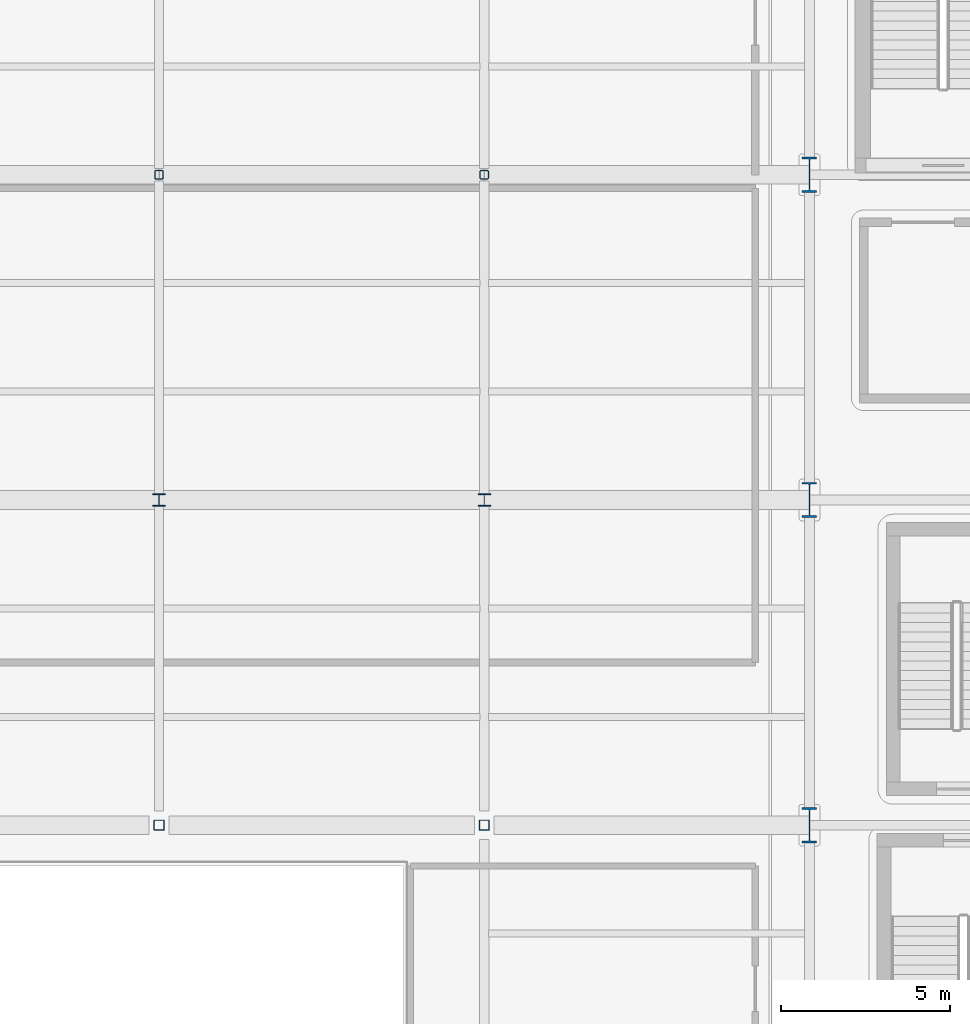
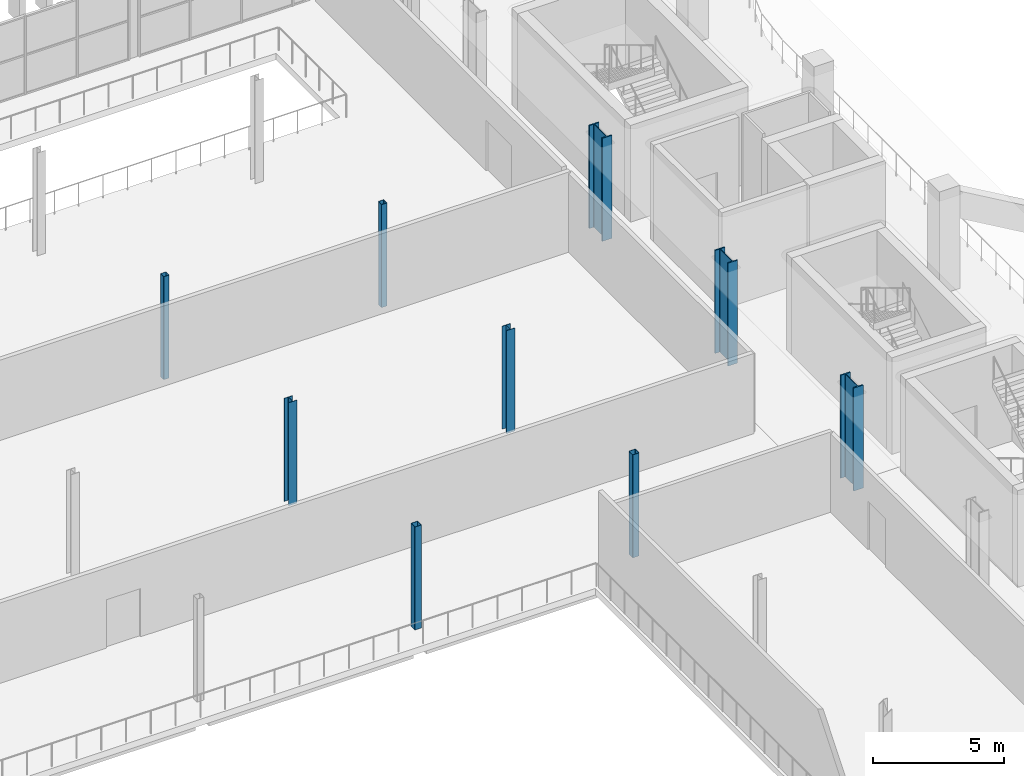
# One storey, part 7 of 100: 9 columns.
"""IFC4 building model written with IfcOpenShell, lengths in metres."""

from ifc_helpers import new_model, si_unit, direction, frame, origin, origin_2d, place, context, subcontext, project, spatial, hollow_rectangle, i_section, extrude, material, material_profile, profile_set, type_object, element, save


model = new_model("IFC4")

# Units and contexts
model_context = context("Model", 3, precision=1e-05, world=origin(), true_north=direction((0.0, 1.0)))
body_context = subcontext(model_context, "Body", "Model", "MODEL_VIEW")
ifc_project = project(units=[si_unit("LENGTHUNIT", "METRE"), si_unit("AREAUNIT", "SQUARE_METRE"), si_unit("VOLUMEUNIT", "CUBIC_METRE"), si_unit("PLANEANGLEUNIT", "RADIAN"), si_unit("MASSUNIT", "GRAM", prefix="KILO")], contexts=[model_context])

# Site, building, storey
site_placement = place(None, origin())
site = spatial("IfcSite", under=ifc_project, at=site_placement, CompositionType="ELEMENT")
building_placement = place(site_placement, origin())
building = spatial("IfcBuilding", under=site, at=building_placement, Name="Caelomonte Colonnade Arena", CompositionType="ELEMENT")
storey_placement = place(building_placement, origin())
storey = spatial("IfcBuildingStorey", under=building, at=storey_placement, Name="L00", CompositionType="ELEMENT", Elevation=0.0)

# Columns
ifc_material_1 = material(Name="Steel ASTM A500 Grade C", Category="steel")
ifc_material_profile_1 = material_profile(ifc_material_1, hollow_rectangle(XDim=0.25390625, YDim=0.25390625, WallThickness=0.0126953125, InnerFilletRadius=0.0126953125, OuterFilletRadius=0.025390625, at=origin_2d()), Name="HSS254X254X12.7")
ifc_profile_set_1 = profile_set([ifc_material_profile_1], Name="Steel ASTM A500 Grade C")
column_type_1 = type_object("IfcColumnType", Name="STR-COL-HSS25", PredefinedType="COLUMN", material=ifc_profile_set_1)
for number, where, z_axis, x_axis, name in (
    (1, (38.39990234375, 86.39990234375, 0.0), (0.0, 0.0, 1.0), (1.0, 0.0, 0.0), "L00 column (38.4, 86.4)"),
    (2, (48.0, 86.39990234375, 0.0), (0.0, 0.0, 1.0), (1.0, 0.0, 0.0), "L00 column (48.0, 86.4)"),
):
    element("IfcColumn", number, at=place(storey_placement, frame(where, z_axis=z_axis, x_axis=x_axis)), inside=storey, type_object=column_type_1, Name=name, PredefinedType="COLUMN", context=body_context, shape_type="SweptSolid", body=[
        extrude(hollow_rectangle(XDim=0.25390625, YDim=0.25390625, WallThickness=0.0126953125, InnerFilletRadius=0.0126953125, OuterFilletRadius=0.025390625, at=origin_2d()), origin(), (0.0, 0.0, 1.0), 4.800048828125),
    ])
ifc_material_profile_2 = material_profile(ifc_material_1, hollow_rectangle(XDim=0.3046875, YDim=0.3046875, WallThickness=0.0126953125, InnerFilletRadius=0.0126953125, OuterFilletRadius=0.025390625, at=origin_2d()), Name="HSS305X305X12.7")
ifc_profile_set_2 = profile_set([ifc_material_profile_2], Name="Steel ASTM A500 Grade C")
column_type_2 = type_object("IfcColumnType", Name="STR-COL-HSS30", PredefinedType="COLUMN", material=ifc_profile_set_2)
for number, where, z_axis, x_axis, name in (
    (3, (38.39990234375, 67.199951171875, 0.0), (0.0, 0.0, 1.0), (1.0, 0.0, 0.0), "L00 column (38.4, 67.2)"),
    (4, (48.0, 67.199951171875, 0.0), (0.0, 0.0, 1.0), (1.0, 0.0, 0.0), "L00 column (48.0, 67.2)"),
):
    element("IfcColumn", number, at=place(storey_placement, frame(where, z_axis=z_axis, x_axis=x_axis)), inside=storey, type_object=column_type_2, Name=name, PredefinedType="COLUMN", context=body_context, shape_type="SweptSolid", body=[
        extrude(hollow_rectangle(XDim=0.3046875, YDim=0.3046875, WallThickness=0.0126953125, InnerFilletRadius=0.0126953125, OuterFilletRadius=0.025390625, at=origin_2d()), origin(), (0.0, 0.0, 1.0), 4.800048828125),
    ])
ifc_material_2 = material(Name="Wide-flange steel ASTM A992 Grade 50", Category="steel")
ifc_material_profile_3 = material_profile(ifc_material_2, i_section(OverallWidth=0.368896484375, OverallDepth=0.356201171875, WebThickness=0.01123046875, FlangeThickness=0.01806640625, FilletRadius=0.01513671875, at=origin_2d()), Name="W14X90")
ifc_profile_set_3 = profile_set([ifc_material_profile_3], Name="Wide-flange steel ASTM A992 Grade 50")
column_type_3 = type_object("IfcColumnType", Name="STR-COL-W14B", PredefinedType="COLUMN", material=ifc_profile_set_3)
for number, where, z_axis, x_axis, name in (
    (5, (38.39990234375, 76.800048828125, 0.0), (0.0, 0.0, 1.0), (1.0, 0.0, 0.0), "L00 column (38.4, 76.8)"),
    (6, (48.0, 76.800048828125, 0.0), (0.0, 0.0, 1.0), (1.0, 0.0, 0.0), "L00 column (48.0, 76.8)"),
):
    element("IfcColumn", number, at=place(storey_placement, frame(where, z_axis=z_axis, x_axis=x_axis)), inside=storey, type_object=column_type_3, Name=name, PredefinedType="COLUMN", context=body_context, shape_type="SweptSolid", body=[
        extrude(i_section(OverallWidth=0.368896484375, OverallDepth=0.356201171875, WebThickness=0.01123046875, FlangeThickness=0.01806640625, FilletRadius=0.01513671875, at=origin_2d()), origin(), (0.0, 0.0, 1.0), 4.800048828125),
    ])
ifc_material_profile_4 = material_profile(ifc_material_2, i_section(OverallWidth=0.427001953125, OverallDepth=1.04150390625, WebThickness=0.031005859375, FlangeThickness=0.055908203125, FilletRadius=0.030517578125, at=origin_2d()), Name="W40X397")
ifc_profile_set_4 = profile_set([ifc_material_profile_4], Name="Wide-flange steel ASTM A992 Grade 50")
column_type_4 = type_object("IfcColumnType", Name="STR-COL-W40A", PredefinedType="COLUMN", material=ifc_profile_set_4)
for number, where, z_axis, x_axis, name in (
    (7, (57.60009765625, 67.199951171875, 0.0), (0.0, 0.0, 1.0), (1.0, 0.0, 0.0), "L00 column (57.6, 67.2)"),
    (8, (57.60009765625, 76.800048828125, 0.0), (0.0, 0.0, 1.0), (1.0, 0.0, 0.0), "L00 column (57.6, 76.8)"),
    (9, (57.60009765625, 86.39990234375, 0.0), (0.0, 0.0, 1.0), (1.0, 0.0, 0.0), "L00 column (57.6, 86.4)"),
):
    element("IfcColumn", number, at=place(storey_placement, frame(where, z_axis=z_axis, x_axis=x_axis)), inside=storey, type_object=column_type_4, Name=name, PredefinedType="COLUMN", context=body_context, shape_type="SweptSolid", body=[
        extrude(i_section(OverallWidth=0.427001953125, OverallDepth=1.04150390625, WebThickness=0.031005859375, FlangeThickness=0.055908203125, FilletRadius=0.030517578125, at=origin_2d()), origin(), (0.0, 0.0, 1.0), 4.800048828125),
    ])

save(model, "model.ifc")
